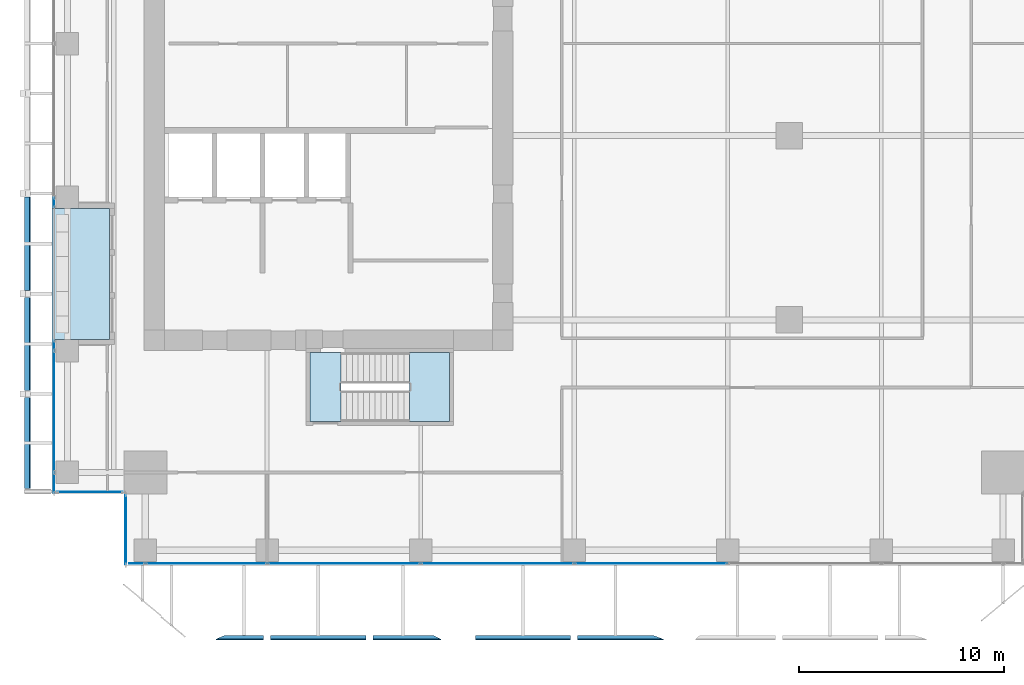
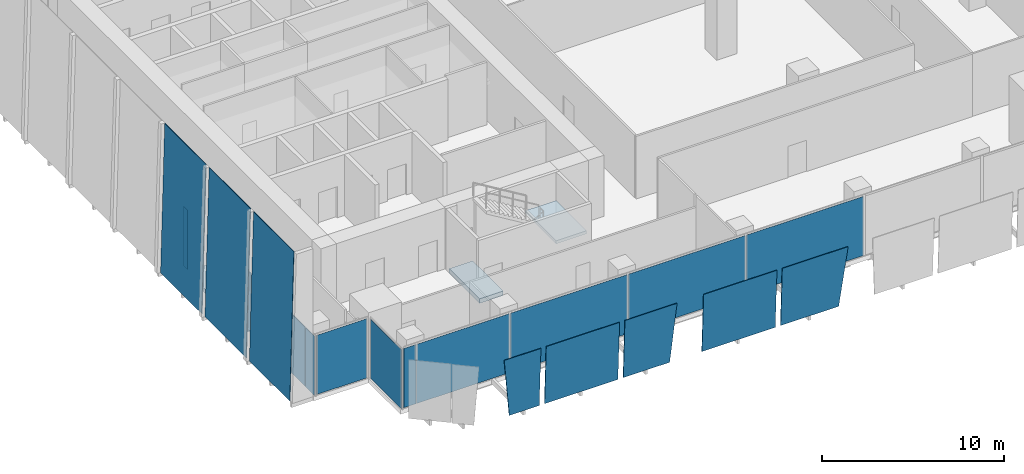
# One storey, part 23 of 34: 19 plates, 3 slabs, 6 elements without a shape of their own.
"""IFC4 building model written with IfcOpenShell, lengths in metres."""

from ifc_helpers import new_model, si_unit, direction, frame, origin, origin_2d, place, context, subcontext, project, spatial, polyline, rectangle, outline, extrude, source, transform, mapped, material, layer, layer_set, type_object, element, aggregate, save


model = new_model("IFC4")

# Units and contexts
model_context = context("Model", 3, precision=1e-05, world=origin(), true_north=direction((0.0, 1.0)))
body_context = subcontext(model_context, "Body", "Model", "MODEL_VIEW")
ifc_project = project(units=[si_unit("LENGTHUNIT", "METRE"), si_unit("AREAUNIT", "SQUARE_METRE"), si_unit("VOLUMEUNIT", "CUBIC_METRE"), si_unit("PLANEANGLEUNIT", "RADIAN"), si_unit("MASSUNIT", "GRAM", prefix="KILO")], contexts=[model_context])

# Site, building, storey
site_placement = place(None, origin())
site = spatial("IfcSite", under=ifc_project, at=site_placement, CompositionType="ELEMENT")
building_placement = place(site_placement, origin())
building = spatial("IfcBuilding", under=site, at=building_placement, Name="Khomas Fold Tower", CompositionType="ELEMENT")
storey_placement = place(building_placement, frame((0.0, 0.0, 154.300048828125)))
storey = spatial("IfcBuildingStorey", under=building, at=storey_placement, Name="L33", CompositionType="ELEMENT", Elevation=154.300048828125)

# Plates
ifc_material_1 = material(Name="Clear laminated glass", Category="glass")
ifc_layer_1 = layer(ifc_material_1, 0.0400390625)
ifc_layer_set_1 = layer_set([ifc_layer_1], Name="Clear laminated glass")
plate_type_1 = type_object("IfcPlateType", Name="SK-Clear laminated glass leaf", PredefinedType="SHEET", material=ifc_layer_set_1)
plate_1_placement = place(storey_placement, frame((9.92529296875, -1.90625, 0.0), z_axis=(0.0, 0.998875250252, 0.04741555054), x_axis=(-0.107357427474, -0.047141511893, 0.99310224077)))
element("IfcPlate", 1, at=plate_1_placement, inside=storey, type_object=plate_type_1, Name="OUTER SKIN glass L33 SG099-3", PredefinedType="SHEET", context=body_context, shape_type="SweptSolid", body=[
    extrude(outline(polyline([(0.0, 0.0), (3.9773862244153824, 0.0), (3.727051558935121, 2.318310522493978), (-0.20449283426625445, 1.8937764314205863), (0.0, 0.0)])), origin(), (0.0, 0.0, -1.0), 0.0400390625),
])
plate_2_placement = place(storey_placement, frame((12.169921875, -1.90625, 0.0), z_axis=(0.0, 0.998875250252, 0.04741555054), x_axis=(0.0, -0.04741555054, 0.998875250252)))
element("IfcPlate", 2, at=plate_2_placement, inside=storey, type_object=plate_type_1, Name="OUTER SKIN glass L33 SG100-4", PredefinedType="SHEET", context=body_context, shape_type="SweptSolid", body=[
    extrude(outline(polyline([(0.0, 0.0), (3.9543988810180344, 0.0), (3.9543988810180344, 4.66015625), (0.0, 4.66015625), (0.0, 0.0)])), origin(), (0.0, 0.0, -1.0), 0.0400390625),
])
plate_3_placement = place(storey_placement, frame((20.11767578125, -1.90625, 0.0), z_axis=(0.0, 0.998875250252, 0.04741555054), x_axis=(-1.0, 0.0, 0.0)))
element("IfcPlate", 3, at=plate_3_placement, inside=storey, type_object=plate_type_1, Name="OUTER SKIN glass L33 SG101-5", PredefinedType="SHEET", context=body_context, shape_type="SweptSolid", body=[
    extrude(outline(polyline([(0.0, 0.0), (2.94775390625, 0.0), (2.94775390625, 3.9543988810180344), (-0.365478515625, 3.9543988810180344), (0.0, 0.0)])), origin(), (0.0, 0.0, -1.0), 0.0400390625),
])
plate_4_placement = place(storey_placement, frame((22.169921875, -1.90625, 0.0), z_axis=(0.0, 0.998875250252, 0.04741555054), x_axis=(0.0, -0.04741555054, 0.998875250252)))
element("IfcPlate", 4, at=plate_4_placement, inside=storey, type_object=plate_type_1, Name="OUTER SKIN glass L33 SG102-6", PredefinedType="SHEET", context=body_context, shape_type="SweptSolid", body=[
    extrude(outline(polyline([(0.0, 0.0), (3.9543988810180344, 0.0), (3.9543988810180344, 4.66015625), (0.0, 4.66015625), (0.0, 0.0)])), origin(), (0.0, 0.0, -1.0), 0.0400390625),
])
plate_5_placement = place(storey_placement, frame((30.859619140625, -1.90625, 0.0), z_axis=(0.0, 0.998875250252, 0.04741555054), x_axis=(-1.0, 0.0, 0.0)))
element("IfcPlate", 5, at=plate_5_placement, inside=storey, type_object=plate_type_1, Name="OUTER SKIN glass L33 SG103-7", PredefinedType="SHEET", context=body_context, shape_type="SweptSolid", body=[
    extrude(outline(polyline([(0.0, 0.0), (3.689697265625, 0.0), (3.689697265625, 3.954398881018035), (-0.49853515625, 3.954398881018035), (0.0, 0.0)])), origin(), (0.0, 0.0, -1.0), 0.0400390625),
])
plate_6_placement = place(storey_placement, frame((0.142578125, 5.27001953125, 0.0009765625), z_axis=(-0.999657457978, 0.0, 0.02617186867), x_axis=(0.0, 1.0, 0.0)))
element("IfcPlate", 6, at=plate_6_placement, inside=storey, type_object=plate_type_1, Name="OUTER SKIN glass L33 W1", PredefinedType="SHEET", context=body_context, shape_type="SweptSolid", body=[
    extrude(outline(polyline([(0.0, 0.0), (4.448974609375, 0.0), (4.448974609375, -9.953360616149824), (0.0, -9.953360616149824), (0.0, 0.0)])), origin(), (0.0, 0.0, -1.0), 0.0400390625),
])
for number, where, z_axis, x_axis, name in (
    (7, (0.142578125, 10.058837890625, 0.0009765625), (-0.999657457978, 0.0, 0.02617186867), (0.0, 1.0, 0.0), "OUTER SKIN glass L33 W3"),
    (8, (0.142578125, 14.94775390625, 0.0009765625), (-0.999657457978, 0.0, 0.02617186867), (0.0, 1.0, 0.0), "OUTER SKIN glass L33 W5"),
):
    element("IfcPlate", number, at=place(storey_placement, frame(where, z_axis=z_axis, x_axis=x_axis)), inside=storey, type_object=plate_type_1, Name=name, PredefinedType="SHEET", context=body_context, shape_type="SweptSolid", body=[
        extrude(outline(polyline([(0.0, 0.0), (4.548828125, 0.0), (4.548828125, -9.953360616149824), (0.0, -9.953360616149824), (0.0, 0.0)])), origin(), (0.0, 0.0, -1.0), 0.0400390625),
    ])

# Curtain wall, plates
ifc_material_2 = material(Name="Aluminium framed double glazing", Category="aluminium")
curtain_wall_type = type_object("IfcCurtainWallType", Name="SK-Unitised clear-glass wall, growing floors CW1", PredefinedType="NOTDEFINED", material=ifc_material_2)
curtain_wall_1_placement = place(storey_placement, origin())
curtain_wall_1 = element("IfcCurtainWall", 9, at=curtain_wall_1_placement, inside=storey, type_object=curtain_wall_type, Name="CW1 run L33 00-0", PredefinedType="NOTDEFINED")
ifc_material_3 = material(Name="Clear double glazed unit")
ifc_layer_2 = layer(ifc_material_3, 0.031982421875)
ifc_layer_set_2 = layer_set([ifc_layer_2], Name="Clear double glazed unit")
plate_type_2 = type_object("IfcPlateType", Name="SK-Unitised clear-glass wall, growing floors glass panel CW1-P", PredefinedType="CURTAIN_PANEL", material=ifc_layer_set_2)
shared_shape_1 = source(origin(), body_context, "Body", "SweptSolid", [
    extrude(rectangle(XDim=0.760009765625, YDim=0.031982421875, at=origin_2d()), origin(), (0.0, 0.0, 1.0), 3.97998046875),
])
plate_7_placement = place(storey_placement, frame((5.639892578125, 1.60009765625, 0.0), z_axis=(0.0, 0.0, 1.0), x_axis=(1.0, 0.0, 0.0)))
plate_7 = element("IfcPlate", 10, at=plate_7_placement, type_object=plate_type_2, Name="CW1 glass panel 1", PredefinedType="CURTAIN_PANEL", context=body_context, shape_type="MappedRepresentation", body=[
    mapped(shared_shape_1, transform((0.0, 0.0, 0.0))),
])
shared_shape_2 = source(origin(), body_context, "Body", "SweptSolid", [
    extrude(rectangle(XDim=5.889892578125, YDim=0.031982421875, at=origin_2d()), origin(), (0.0, 0.0, 1.0), 3.97998046875),
])
plate_8_placement = place(storey_placement, frame((9.02490234375, 1.60009765625, 0.0), z_axis=(0.0, 0.0, 1.0), x_axis=(1.0, 0.0, 0.0)))
plate_8 = element("IfcPlate", 11, at=plate_8_placement, type_object=plate_type_2, Name="CW1 glass panel 2", PredefinedType="CURTAIN_PANEL", context=body_context, shape_type="MappedRepresentation", body=[
    mapped(shared_shape_2, transform((0.0, 0.0, 0.0))),
])

# Curtain wall, plate
curtain_wall_2_placement = place(storey_placement, origin())
curtain_wall_2 = element("IfcCurtainWall", 12, at=curtain_wall_2_placement, inside=storey, type_object=curtain_wall_type, Name="CW1 run L33 09-1", PredefinedType="NOTDEFINED")
plate_9_placement = place(storey_placement, frame((1.60009765625, 9.02490234375, 0.0), z_axis=(0.0, 0.0, 1.0), x_axis=(0.0, -1.0, 0.0)))
plate_9 = element("IfcPlate", 13, at=plate_9_placement, type_object=plate_type_2, Name="CW1 glass panel 2", PredefinedType="CURTAIN_PANEL", context=body_context, shape_type="MappedRepresentation", body=[
    mapped(shared_shape_2, transform((0.0, 0.0, 0.0))),
])

# Plate
shared_shape_3 = source(origin(), body_context, "Body", "SweptSolid", [
    extrude(rectangle(XDim=7.43994140625, YDim=0.031982421875, at=origin_2d()), origin(), (0.0, 0.0, 1.0), 3.97998046875),
])
plate_10_placement = place(storey_placement, frame((15.75, 1.60009765625, 0.0), z_axis=(0.0, 0.0, 1.0), x_axis=(1.0, 0.0, 0.0)))
plate_10 = element("IfcPlate", 14, at=plate_10_placement, type_object=plate_type_2, Name="CW1 glass panel 3", PredefinedType="CURTAIN_PANEL", context=body_context, shape_type="MappedRepresentation", body=[
    mapped(shared_shape_3, transform((0.0, 0.0, 0.0))),
])

plate_11_placement = place(storey_placement, frame((23.25, 1.60009765625, 0.0), z_axis=(0.0, 0.0, 1.0), x_axis=(1.0, 0.0, 0.0)))
plate_11 = element("IfcPlate", 15, at=plate_11_placement, type_object=plate_type_2, Name="CW1 glass panel 4", PredefinedType="CURTAIN_PANEL", context=body_context, shape_type="MappedRepresentation", body=[
    mapped(shared_shape_3, transform((0.0, 0.0, 0.0))),
])

plate_12_placement = place(storey_placement, frame((30.75, 1.60009765625, 0.0), z_axis=(0.0, 0.0, 1.0), x_axis=(1.0, 0.0, 0.0)))
plate_12 = element("IfcPlate", 16, at=plate_12_placement, type_object=plate_type_2, Name="CW1 glass panel 5", PredefinedType="CURTAIN_PANEL", context=body_context, shape_type="MappedRepresentation", body=[
    mapped(shared_shape_3, transform((0.0, 0.0, 0.0))),
])

aggregate(curtain_wall_1, [plate_7, plate_8, plate_10, plate_11, plate_12])

shared_shape_4 = source(origin(), body_context, "Body", "SweptSolid", [
    extrude(rectangle(XDim=0.9599609375, YDim=0.031982421875, at=origin_2d()), origin(), (0.0, 0.0, 1.0), 3.97998046875),
])
plate_13_placement = place(storey_placement, frame((1.60009765625, 5.5400390625, 0.0), z_axis=(0.0, 0.0, 1.0), x_axis=(0.0, -1.0, 0.0)))
plate_13 = element("IfcPlate", 17, at=plate_13_placement, type_object=plate_type_2, Name="CW1 glass panel 3", PredefinedType="CURTAIN_PANEL", context=body_context, shape_type="MappedRepresentation", body=[
    mapped(shared_shape_4, transform((0.0, 0.0, 0.0))),
])

# Curtain wall, plate
curtain_wall_3_placement = place(storey_placement, origin())
curtain_wall_3 = element("IfcCurtainWall", 18, at=curtain_wall_3_placement, inside=storey, type_object=curtain_wall_type, Name="CW1 corner return L33 10", PredefinedType="NOTDEFINED")
shared_shape_5 = source(origin(), body_context, "Body", "SweptSolid", [
    extrude(rectangle(XDim=3.179931640625, YDim=0.031982421875, at=origin_2d()), origin(), (0.0, 0.0, 1.0), 3.97998046875),
])
plate_14_placement = place(storey_placement, frame((3.35009765625, 5.10009765625, 0.0), z_axis=(0.0, 0.0, 1.0), x_axis=(1.0, 0.0, 0.0)))
plate_14 = element("IfcPlate", 19, at=plate_14_placement, type_object=plate_type_2, Name="CW1 glass panel 1", PredefinedType="CURTAIN_PANEL", context=body_context, shape_type="MappedRepresentation", body=[
    mapped(shared_shape_5, transform((0.0, 0.0, 0.0))),
])
aggregate(curtain_wall_3, [plate_14])

curtain_wall_4_placement = place(storey_placement, origin())
curtain_wall_4 = element("IfcCurtainWall", 20, at=curtain_wall_4_placement, inside=storey, type_object=curtain_wall_type, Name="CW1 corner return L33 11", PredefinedType="NOTDEFINED")
shared_shape_6 = source(origin(), body_context, "Body", "SweptSolid", [
    extrude(rectangle(XDim=3.3798828125, YDim=0.031982421875, at=origin_2d()), origin(), (0.0, 0.0, 1.0), 3.97998046875),
])
plate_15_placement = place(storey_placement, frame((5.10009765625, 3.25, 0.0), z_axis=(0.0, 0.0, 1.0), x_axis=(0.0, -1.0, 0.0)))
plate_15 = element("IfcPlate", 21, at=plate_15_placement, type_object=plate_type_2, Name="CW1 glass panel 1", PredefinedType="CURTAIN_PANEL", context=body_context, shape_type="MappedRepresentation", body=[
    mapped(shared_shape_6, transform((0.0, 0.0, 0.0))),
])
aggregate(curtain_wall_4, [plate_15])

curtain_wall_5_placement = place(storey_placement, origin())
curtain_wall_5 = element("IfcCurtainWall", 22, at=curtain_wall_5_placement, inside=storey, type_object=curtain_wall_type, Name="CW1 run L33 09-0", PredefinedType="NOTDEFINED")
shared_shape_7 = source(origin(), body_context, "Body", "SweptSolid", [
    extrude(rectangle(XDim=0.4599609375, YDim=0.031982421875, at=origin_2d()), origin(), (0.0, 0.0, 1.0), 3.97998046875),
])
plate_16_placement = place(storey_placement, frame((1.60009765625, 19.239990234375, 0.0), z_axis=(0.0, 0.0, 1.0), x_axis=(0.0, -1.0, 0.0)))
plate_16 = element("IfcPlate", 23, at=plate_16_placement, type_object=plate_type_2, Name="CW1 glass panel 6", PredefinedType="CURTAIN_PANEL", context=body_context, shape_type="MappedRepresentation", body=[
    mapped(shared_shape_7, transform((0.0, 0.0, 0.0))),
])
aggregate(curtain_wall_5, [plate_16])

# Plate
plate_17_placement = place(storey_placement, frame((1.60009765625, 12.260009765625, 0.0), z_axis=(0.0, 0.0, 1.0), x_axis=(0.0, -1.0, 0.0)))
plate_17 = element("IfcPlate", 24, at=plate_17_placement, type_object=plate_type_2, Name="CW1 glass panel 1", PredefinedType="CURTAIN_PANEL", context=body_context, shape_type="MappedRepresentation", body=[
    mapped(shared_shape_7, transform((0.0, 0.0, 0.0))),
])

aggregate(curtain_wall_2, [plate_17, plate_9, plate_13])

# Slab
ifc_material_4 = material(Name="Concrete C40/50", Category="concrete")
ifc_layer_3 = layer(ifc_material_4, 0.2548828125)
ifc_layer_set_3 = layer_set([ifc_layer_3], Name="Concrete C40/50")
slab_type_1 = type_object("IfcSlabType", Name="BL-Balcony deck 255", PredefinedType="FLOOR", material=ifc_layer_set_3)
shared_shape_8 = source(origin(), body_context, "Body", "SweptSolid", [
    extrude(outline(polyline([(1.5, 12.550048828125), (4.300048828125, 12.550048828125), (4.300048828125, 18.949951171875), (1.5, 18.949951171875), (1.5, 12.550048828125)])), origin(), (0.0, 0.0, 1.0), 0.2548828125),
])
slab_1_placement = place(storey_placement, frame((0.0, 0.0, -0.300048828125)))
element("IfcSlab", 25, at=slab_1_placement, inside=storey, type_object=slab_type_1, Name="Balcony deck BAL-L33-W1", PredefinedType="FLOOR", context=body_context, shape_type="MappedRepresentation", body=[
    mapped(shared_shape_8, transform((0.0, 0.0, 0.0))),
])

# Stair, slab
ifc_material_5 = material(Name="Concrete C40/50", Category="concrete")
stair_type = type_object("IfcStairType", Name="Stair ST2", PredefinedType="HALF_TURN_STAIR", material=ifc_material_5)
stair_placement = place(storey_placement, origin())
stair = element("IfcStair", 26, at=stair_placement, inside=storey, type_object=stair_type, Name="L33 ST2", PredefinedType="HALF_TURN_STAIR")
ifc_material_6 = material(Name="Concrete C40/50", Category="concrete")
ifc_layer_4 = layer(ifc_material_6, 0.199951171875)
ifc_layer_set_4 = layer_set([ifc_layer_4], Name="Concrete C40/50")
slab_type_2 = type_object("IfcSlabType", Name="Stair landing 200", PredefinedType="LANDING", material=ifc_layer_set_4)
shared_shape_9 = source(origin(), body_context, "Body", "SweptSolid", [
    extrude(outline(polyline([(18.9599609375, 8.550048828125), (20.89990234375, 8.550048828125), (20.89990234375, 11.89990234375), (18.9599609375, 11.89990234375), (18.9599609375, 8.550048828125)])), origin(), (0.0, 0.0, 1.0), 0.199951171875),
])
slab_2_placement = place(storey_placement, frame((0.0, 0.0, 2.0)))
slab_2 = element("IfcSlab", 27, at=slab_2_placement, type_object=slab_type_2, Name="ST2 landing 1", PredefinedType="LANDING", context=body_context, shape_type="MappedRepresentation", body=[
    mapped(shared_shape_9, transform((0.0, 0.0, 0.0))),
])
aggregate(stair, [slab_2])

# Slab
ifc_material_7 = material(Name="Concrete C40/50", Category="concrete")
ifc_layer_5 = layer(ifc_material_7, 0.300048828125)
ifc_layer_set_5 = layer_set([ifc_layer_5], Name="Concrete C40/50")
slab_type_3 = type_object("IfcSlabType", Name="Stair floor landing 300", PredefinedType="LANDING", material=ifc_layer_set_5)
shared_shape_10 = source(origin(), body_context, "Body", "SweptSolid", [
    extrude(outline(polyline([(15.60009765625, 8.550048828125), (14.10009765625, 8.550048828125), (14.10009765625, 11.89990234375), (15.60009765625, 11.89990234375), (15.60009765625, 8.550048828125)])), origin(), (0.0, 0.0, 1.0), 0.300048828125),
])
slab_3_placement = place(storey_placement, frame((0.0, 0.0, -0.300048828125)))
element("IfcSlab", 28, at=slab_3_placement, inside=storey, type_object=slab_type_3, Name="ST2 floor landing", PredefinedType="LANDING", context=body_context, shape_type="MappedRepresentation", body=[
    mapped(shared_shape_10, transform((0.0, 0.0, 0.0))),
])

save(model, "model.ifc")
